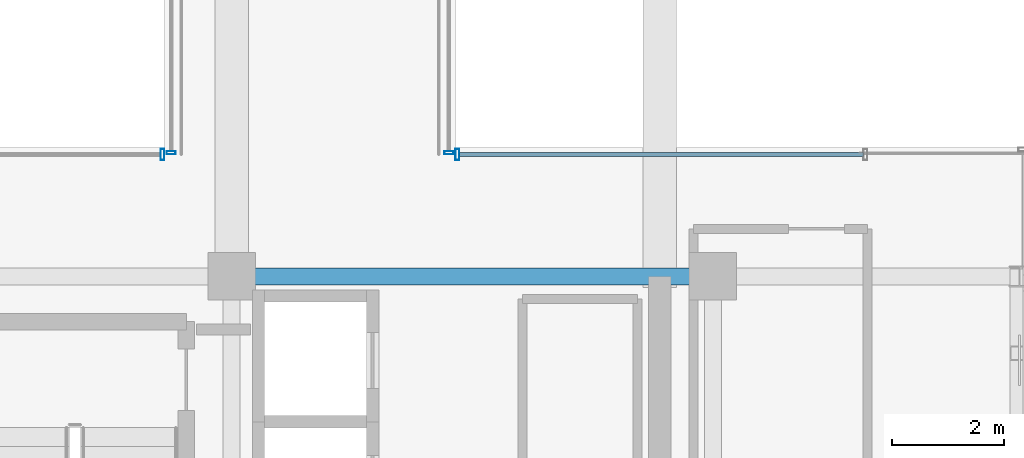
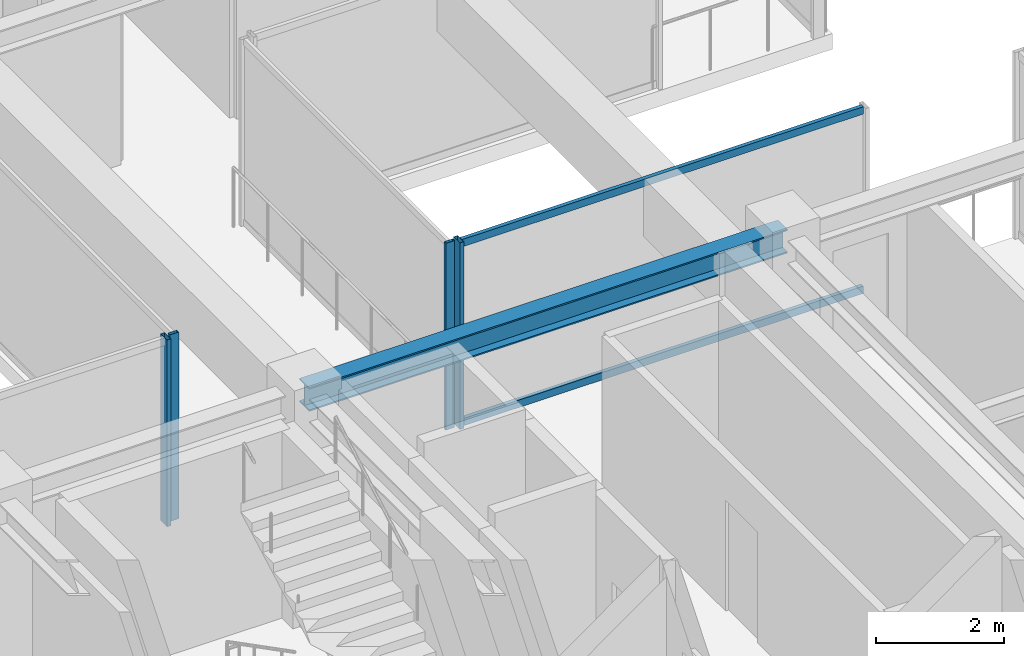
# One storey, part 17 of 37: 6 members, 1 beam, 4 elements without a shape of their own.
"""IFC4 building model written with IfcOpenShell, lengths in metres."""

import ifcopenshell
import ifcopenshell.guid

model = None  # the IFC model being written
_history = None  # IfcOwnerHistory: only IFC2X3 demands one
_inside = {}  # id of a spatial element -> (the spatial element, [elements in it])
_under = {}  # id of a project, library or spatial element -> (it, [spatial elements below it])
_declared = {}  # id of a project -> (the project, [libraries it declares])
_typed = {}  # id of a type object -> (the type object, [elements of that type])
_made_of = {}  # id of a material, layer set ... -> (it, [elements and type objects made of it])


def new_model(schema):
    """Start an empty IFC model of exactly this schema.

    Asked for "IFC4X3", IfcOpenShell would pick the latest addendum, in which some entities
    have other attributes; the version numbers below select the first issue.
    IFC2X3 requires an IfcOwnerHistory on every rooted entity: one is made here for all.
    """
    global model, _history
    if schema == "IFC4X3":
        model = ifcopenshell.file(schema_version=(4, 3, 0, 0))
    else:
        model = ifcopenshell.file(schema=schema)
    _inside.clear()
    _under.clear()
    _declared.clear()
    _typed.clear()
    _made_of.clear()
    _history = None
    if model.schema == "IFC2X3":
        org = make("IfcOrganization", Name="unknown")
        user = make(
            "IfcPersonAndOrganization",
            ThePerson=make("IfcPerson", FamilyName="unknown"),
            TheOrganization=org,
        )
        app = make(
            "IfcApplication",
            ApplicationDeveloper=org,
            Version="unknown",
            ApplicationFullName="unknown",
            ApplicationIdentifier="unknown",
        )
        _history = make(
            "IfcOwnerHistory",
            OwningUser=user,
            OwningApplication=app,
            ChangeAction="ADDED",
            CreationDate=0,
        )
    return model


def make(cls, **values):
    """One entity of the class cls with the attributes given. An attribute that is None is left unset."""
    return model.create_entity(
        cls, **{name: value for name, value in values.items() if value is not None}
    )


def rooted(cls, **values):
    """An entity with a GlobalId (a new one), such as an element, a storey or a relation."""
    return make(cls, GlobalId=ifcopenshell.guid.new(), OwnerHistory=_history, **values)


def si_unit(unit_type, name, prefix=None):
    """IfcSIUnit, for example si_unit("LENGTHUNIT", "METRE", prefix="MILLI")."""
    return make("IfcSIUnit", UnitType=unit_type, Prefix=prefix, Name=name)


def assignment(units):
    """IfcUnitAssignment: the units of a project."""
    return None if units is None else make("IfcUnitAssignment", Units=units)


def point(xyz):
    """IfcCartesianPoint."""
    return None if xyz is None else make("IfcCartesianPoint", Coordinates=xyz)


def direction(xyz):
    """IfcDirection."""
    return None if xyz is None else make("IfcDirection", DirectionRatios=xyz)


def frame(location, z_axis=None, x_axis=None):
    """IfcAxis2Placement3D, a coordinate frame: its origin and axes. An axis left out is left unset."""
    return make(
        "IfcAxis2Placement3D",
        Location=point(location),
        Axis=direction(z_axis),
        RefDirection=direction(x_axis),
    )


def frame_2d(location, x_axis=None):
    """IfcAxis2Placement2D, a coordinate frame in the plane: its origin and x axis."""
    return make(
        "IfcAxis2Placement2D", Location=point(location), RefDirection=direction(x_axis)
    )


def origin():
    """The frame at (0, 0, 0) with its axes left unset."""
    return frame((0.0, 0.0, 0.0))


def origin_2d():
    """The frame at (0, 0) in the plane with its x axis left unset."""
    return frame_2d((0.0, 0.0))


def place(relative_to, where):
    """IfcLocalPlacement: puts the frame where relative to a parent placement (None: the world)."""
    return make(
        "IfcLocalPlacement", PlacementRelTo=relative_to, RelativePlacement=where
    )


def context(
    kind, dimensions, precision=None, world=None, true_north=None, identifier=None
):
    """IfcGeometricRepresentationContext, for example the 3D "Model" context."""
    return make(
        "IfcGeometricRepresentationContext",
        ContextIdentifier=identifier,
        ContextType=kind,
        CoordinateSpaceDimension=dimensions,
        Precision=precision,
        WorldCoordinateSystem=world,
        TrueNorth=true_north,
    )


def subcontext(parent, identifier, kind, view, scale=None):
    """IfcGeometricRepresentationSubContext, for example "Body" below "Model"."""
    return make(
        "IfcGeometricRepresentationSubContext",
        ContextIdentifier=identifier,
        ContextType=kind,
        ParentContext=parent,
        TargetScale=scale,
        TargetView=view,
    )


def project(units=None, contexts=None):
    """IfcProject with its units and contexts."""
    return rooted(
        "IfcProject",
        Name="project",
        RepresentationContexts=contexts,
        UnitsInContext=assignment(units),
    )


def spatial(cls, under=None, at=None, **own):
    """A site, building, storey or space (cls), placed at a placement, below another one or the project."""
    s = rooted(cls, ObjectPlacement=at, **own)
    if under is not None:
        _under.setdefault(under.id(), (under, []))[1].append(s)
    return s


def profile(cls, at=None, kind="AREA", **sizes):
    """A parametric profile (cls). Its sizes go by their IFC names, for example OverallWidth=200.0."""
    return make(cls, ProfileType=kind, Position=at, **sizes)


def hollow_rectangle(**sizes):
    """IfcRectangleHollowProfileDef."""
    return profile("IfcRectangleHollowProfileDef", **sizes)


def i_section(**sizes):
    """IfcIShapeProfileDef."""
    return profile("IfcIShapeProfileDef", **sizes)


def extrude(swept, where, along, depth):
    """IfcExtrudedAreaSolid: the profile swept, set in the frame where, extruded along a direction by depth."""
    return make(
        "IfcExtrudedAreaSolid",
        SweptArea=swept,
        Position=where,
        ExtrudedDirection=direction(along),
        Depth=depth,
    )


def shape(context_of_items, identifier, shape_type, items):
    """IfcShapeRepresentation: the items that make up one representation, for example the "Body"."""
    return make(
        "IfcShapeRepresentation",
        ContextOfItems=context_of_items,
        RepresentationIdentifier=identifier,
        RepresentationType=shape_type,
        Items=items,
    )


def source(mapping_origin, context_of_items, identifier, shape_type, items):
    """IfcRepresentationMap: a shape defined once, which mapped items show again and again."""
    return make(
        "IfcRepresentationMap",
        MappingOrigin=mapping_origin,
        MappedRepresentation=shape(context_of_items, identifier, shape_type, items),
    )


def transform(
    local_origin,
    x_axis=None,
    y_axis=None,
    z_axis=None,
    scale=None,
    scale2=None,
    scale3=None,
    uniform=True,
):
    """IfcCartesianTransformationOperator3D, or its non-uniform kind. x_axis, y_axis, z_axis: its Axis1, 2, 3."""
    if uniform:
        return make(
            "IfcCartesianTransformationOperator3D",
            Axis1=direction(x_axis),
            Axis2=direction(y_axis),
            LocalOrigin=point(local_origin),
            Scale=scale,
            Axis3=direction(z_axis),
        )
    return make(
        "IfcCartesianTransformationOperator3DnonUniform",
        Axis1=direction(x_axis),
        Axis2=direction(y_axis),
        LocalOrigin=point(local_origin),
        Scale=scale,
        Axis3=direction(z_axis),
        Scale2=scale2,
        Scale3=scale3,
    )


def mapped(mapping_source, mapping_target):
    """IfcMappedItem: shows the shape of a source again, moved by a transform."""
    return make(
        "IfcMappedItem", MappingSource=mapping_source, MappingTarget=mapping_target
    )


def material(Name=None, Category=None):
    """IfcMaterial."""
    return make("IfcMaterial", Name=Name, Category=Category)


def material_profile(
    of_material, cross_section, Name=None, Category=None, Priority=None
):
    """IfcMaterialProfile: a cross section and its material."""
    return make(
        "IfcMaterialProfile",
        Name=Name,
        Material=of_material,
        Profile=cross_section,
        Priority=Priority,
        Category=Category,
    )


def profile_set(profiles, Name=None, composite=None):
    """IfcMaterialProfileSet."""
    return make(
        "IfcMaterialProfileSet",
        Name=Name,
        MaterialProfiles=profiles,
        CompositeProfile=composite,
    )


def made_of(thing, what):
    """Note that an element or type object is made of a material, layer set ...; save() writes the relation."""
    if what is not None:
        _made_of.setdefault(what.id(), (what, []))[1].append(thing)
    return thing


def type_object(cls, material=None, **own):
    """A type object (cls), such as IfcWallType, which elements share."""
    return made_of(rooted(cls, **own), material)


def element(
    cls,
    number,
    at=None,
    inside=None,
    cuts=None,
    type_object=None,
    material=None,
    context=None,
    identifier="Body",
    shape_type=None,
    held_by="IfcProductDefinitionShape",
    body=None,
    shapes=None,
    **own,
):
    """One element of the class cls, such as IfcWall. Its Tag is "e" and its number.

    at: its placement. inside: the storey or other place that contains it. cuts: it is an
    opening in that element (IfcRelVoidsElement). A single representation is given by context,
    identifier, shape_type and body (its items); several are given by shapes. held_by: the class
    of the entity that holds the representations. save() writes the other relations.
    """
    e = rooted(cls, Tag="e%d" % number, ObjectPlacement=at, **own)
    if body is not None:
        shapes = [shape(context, identifier, shape_type, body)]
    if shapes is not None:
        e.Representation = make(held_by, Representations=shapes)
    if inside is not None:
        _inside.setdefault(inside.id(), (inside, []))[1].append(e)
    if cuts is not None:
        rooted(
            "IfcRelVoidsElement", RelatingBuildingElement=cuts, RelatedOpeningElement=e
        )
    if type_object is not None:
        _typed.setdefault(type_object.id(), (type_object, []))[1].append(e)
    return made_of(e, material)


def aggregate(whole, parts):
    """IfcRelAggregates: a whole, such as a stair, and the parts it consists of."""
    return rooted("IfcRelAggregates", RelatingObject=whole, RelatedObjects=parts)


def save(model, path):
    """Write the relations noted so far, then the file.

    IfcRelAggregates (storeys below a building ...), IfcRelContainedInSpatialStructure (elements
    in a storey), IfcRelDefinesByType, IfcRelAssociatesMaterial and IfcRelDeclares: one each for
    every whole, place, type object, material and project.
    """
    for whole, parts in _under.values():
        aggregate(whole, parts)
    for where, things in _inside.values():
        rooted(
            "IfcRelContainedInSpatialStructure",
            RelatedElements=things,
            RelatingStructure=where,
        )
    for kind, things in _typed.values():
        rooted("IfcRelDefinesByType", RelatedObjects=things, RelatingType=kind)
    for what, things in _made_of.values():
        rooted("IfcRelAssociatesMaterial", RelatedObjects=things, RelatingMaterial=what)
    for by, libraries in _declared.values():
        rooted("IfcRelDeclares", RelatingContext=by, RelatedDefinitions=libraries)
    model.write(path)


model = new_model("IFC4")

# Units and contexts
model_context = context("Model", 3, precision=1e-05, world=origin(), true_north=direction((0.0, 1.0)))
body_context = subcontext(model_context, "Body", "Model", "MODEL_VIEW")
ifc_project = project(units=[si_unit("LENGTHUNIT", "METRE"), si_unit("AREAUNIT", "SQUARE_METRE"), si_unit("VOLUMEUNIT", "CUBIC_METRE"), si_unit("PLANEANGLEUNIT", "RADIAN"), si_unit("MASSUNIT", "GRAM", prefix="KILO")], contexts=[model_context])

# Site, building, storey
site_placement = place(None, origin())
site = spatial("IfcSite", under=ifc_project, at=site_placement, CompositionType="ELEMENT")
building_placement = place(site_placement, origin())
building = spatial("IfcBuilding", under=site, at=building_placement, Name="Nahalor Promenade Grand Hotel", CompositionType="ELEMENT")
storey_placement = place(building_placement, frame((0.0, 0.0, 308.050048828125)))
storey = spatial("IfcBuildingStorey", under=building, at=storey_placement, Name="L79", CompositionType="ELEMENT", Elevation=308.050048828125)

# Beam
ifc_material_1 = material(Name="Steel S355JR", Category="steel")
ifc_material_profile_1 = material_profile(ifc_material_1, i_section(OverallWidth=0.3, OverallDepth=0.45, WebThickness=0.014, FlangeThickness=0.026, at=origin_2d()), Name="HEB 450")
ifc_profile_set_1 = profile_set([ifc_material_profile_1], Name="Steel S355JR")
beam_type = type_object("IfcBeamType", Name="Beam-Girder-HEB450", PredefinedType="BEAM", material=ifc_profile_set_1)
shared_shape_1 = source(origin(), body_context, "Body", "SweptSolid", [
    extrude(i_section(OverallWidth=0.3, OverallDepth=0.45, WebThickness=0.014, FlangeThickness=0.026, at=origin_2d()), origin(), (0.0, 0.0, 1.0), 8.60009765625),
])
beam_placement = place(storey_placement, frame((8.39990234375, -5.39990234375, 3.324951171875), z_axis=(1.0, 0.0, 0.0), x_axis=(0.0, 1.0, 0.0)))
element("IfcBeam", 1, at=beam_placement, inside=storey, type_object=beam_type, Name="BM-L79-GX-1-5", PredefinedType="BEAM", context=body_context, shape_type="MappedRepresentation", body=[
    mapped(shared_shape_1, transform((0.0, 0.0, 0.0), scale=1.0)),
])

# Curtain wall, members
ifc_material_2 = material(Name="Anodised Bronze Aluminium EN AW-6063 T6", Category="aluminium")
curtain_wall_type_1 = type_object("IfcCurtainWallType", Name="CW3 Elliptical-Void Collar Unitised Curtain Wall", PredefinedType="USERDEFINED", material=ifc_material_2)
curtain_wall_1_placement = place(storey_placement, origin())
curtain_wall_1 = element("IfcCurtainWall", 2, at=curtain_wall_1_placement, inside=storey, type_object=curtain_wall_type_1, Name="L79 Curtain Wall CW-L79-VOID-ES1", ObjectType="UNITISED_CURTAIN_WALL", PredefinedType="USERDEFINED")
ifc_material_profile_2 = material_profile(ifc_material_2, hollow_rectangle(XDim=0.07, YDim=0.14, WallThickness=0.004, at=origin_2d()), Name="CWT 70x140x4")
ifc_profile_set_2 = profile_set([ifc_material_profile_2], Name="Anodised Bronze Aluminium EN AW-6063 T6")
member_type_1 = type_object("IfcMemberType", Name="CWT3 Void Collar Transom 70x140", PredefinedType="USERDEFINED", material=ifc_profile_set_2)
shared_shape_2 = source(origin(), body_context, "Body", "SweptSolid", [
    extrude(hollow_rectangle(XDim=0.07, YDim=0.14, WallThickness=0.004, at=origin_2d()), origin(), (0.0, 0.0, 1.0), 7.219970703125),
])
member_1_placement = place(storey_placement, frame((12.469970703125, -3.219970703125, 0.070068359375), z_axis=(1.0, 0.0, 0.0), x_axis=(0.0, 1.0, 0.0)))
member_1 = element("IfcMember", 3, at=member_1_placement, type_object=member_type_1, Name="CW-L79-VOID-ES1 Transom 0-0", ObjectType="TRANSOM", PredefinedType="USERDEFINED", context=body_context, shape_type="MappedRepresentation", body=[
    mapped(shared_shape_2, transform((0.0, 0.0, 0.0), scale=1.0)),
])
member_2_placement = place(storey_placement, frame((12.469970703125, -3.219970703125, 3.47998046875), z_axis=(1.0, 0.0, 0.0), x_axis=(0.0, 1.0, 0.0)))
member_2 = element("IfcMember", 4, at=member_2_placement, type_object=member_type_1, Name="CW-L79-VOID-ES1 Transom 0-1", ObjectType="TRANSOM", PredefinedType="USERDEFINED", context=body_context, shape_type="MappedRepresentation", body=[
    mapped(shared_shape_2, transform((0.0, 0.0, 0.0), scale=1.0)),
])

# Curtain wall, member
curtain_wall_2_placement = place(storey_placement, origin())
curtain_wall_2 = element("IfcCurtainWall", 5, at=curtain_wall_2_placement, inside=storey, type_object=curtain_wall_type_1, Name="L79 Curtain Wall CW-L79-VOID-WS1", ObjectType="UNITISED_CURTAIN_WALL", PredefinedType="USERDEFINED")
ifc_material_profile_3 = material_profile(ifc_material_2, hollow_rectangle(XDim=0.07, YDim=0.2, WallThickness=0.005, at=origin_2d()), Name="CWM 70x200x5")
ifc_profile_set_3 = profile_set([ifc_material_profile_3], Name="Anodised Bronze Aluminium EN AW-6063 T6")
member_type_2 = type_object("IfcMemberType", Name="CWM3 Void Collar Mullion 70x200", PredefinedType="MULLION", material=ifc_profile_set_3)
shared_shape_3 = source(origin(), body_context, "Body", "SweptSolid", [
    extrude(hollow_rectangle(XDim=0.07, YDim=0.2, WallThickness=0.005, at=origin_2d()), origin(), (0.0, 0.0, 1.0), 3.550048828125),
])
member_3_placement = place(storey_placement, frame((7.1650390625, -3.219970703125, 0.0), z_axis=(0.0, 0.0, 1.0), x_axis=(1.0, 0.0, 0.0)))
member_3 = element("IfcMember", 6, at=member_3_placement, type_object=member_type_2, Name="CW-L79-VOID-WS1 Mullion 3", PredefinedType="MULLION", context=body_context, shape_type="MappedRepresentation", body=[
    mapped(shared_shape_3, transform((0.0, 0.0, 0.0), scale=1.0)),
])
aggregate(curtain_wall_2, [member_3])

# Member
member_4_placement = place(storey_placement, frame((12.43505859375, -3.219970703125, 0.0), z_axis=(0.0, 0.0, 1.0), x_axis=(1.0, 0.0, 0.0)))
member_4 = element("IfcMember", 7, at=member_4_placement, type_object=member_type_2, Name="CW-L79-VOID-ES1 Mullion 0", PredefinedType="MULLION", context=body_context, shape_type="MappedRepresentation", body=[
    mapped(shared_shape_3, transform((0.0, 0.0, 0.0), scale=1.0)),
])

aggregate(curtain_wall_1, [member_4, member_1, member_2])

# Curtain wall, member
curtain_wall_type_2 = type_object("IfcCurtainWallType", Name="CW4 Low-Iron Sky-Gallery Bridge Curtain Wall", PredefinedType="USERDEFINED", material=ifc_material_2)
curtain_wall_3_placement = place(storey_placement, origin())
curtain_wall_3 = element("IfcCurtainWall", 8, at=curtain_wall_3_placement, inside=storey, type_object=curtain_wall_type_2, Name="L79 Curtain Wall CW-L79-BRG-W", ObjectType="UNITISED_CURTAIN_WALL", PredefinedType="USERDEFINED")
ifc_material_profile_4 = material_profile(ifc_material_2, hollow_rectangle(XDim=0.06, YDim=0.16, WallThickness=0.004, at=origin_2d()), Name="CWM 60x160x4")
ifc_profile_set_4 = profile_set([ifc_material_profile_4], Name="Anodised Bronze Aluminium EN AW-6063 T6")
member_type_3 = type_object("IfcMemberType", Name="CWM4 Sky-Gallery Slim Mullion 60x160", PredefinedType="MULLION", material=ifc_profile_set_4)
shared_shape_4 = source(origin(), body_context, "Body", "SweptSolid", [
    extrude(hollow_rectangle(XDim=0.06, YDim=0.16, WallThickness=0.004, at=origin_2d()), origin(), (0.0, 0.0, 1.0), 3.550048828125),
])
member_5_placement = place(storey_placement, frame((7.320068359375, -3.18994140625, 0.0), z_axis=(0.0, 0.0, 1.0), x_axis=(0.0, 1.0, 0.0)))
member_5 = element("IfcMember", 9, at=member_5_placement, type_object=member_type_3, Name="CW-L79-BRG-W Mullion 0", PredefinedType="MULLION", context=body_context, shape_type="MappedRepresentation", body=[
    mapped(shared_shape_4, transform((0.0, 0.0, 0.0), scale=1.0)),
])
aggregate(curtain_wall_3, [member_5])

curtain_wall_4_placement = place(storey_placement, origin())
curtain_wall_4 = element("IfcCurtainWall", 10, at=curtain_wall_4_placement, inside=storey, type_object=curtain_wall_type_2, Name="L79 Curtain Wall CW-L79-BRG-E", ObjectType="UNITISED_CURTAIN_WALL", PredefinedType="USERDEFINED")
member_6_placement = place(storey_placement, frame((12.280029296875, -3.18994140625, 0.0), z_axis=(0.0, 0.0, 1.0), x_axis=(0.0, 1.0, 0.0)))
member_6 = element("IfcMember", 11, at=member_6_placement, type_object=member_type_3, Name="CW-L79-BRG-E Mullion 0", PredefinedType="MULLION", context=body_context, shape_type="MappedRepresentation", body=[
    mapped(shared_shape_4, transform((0.0, 0.0, 0.0), scale=1.0)),
])
aggregate(curtain_wall_4, [member_6])

save(model, "model.ifc")
